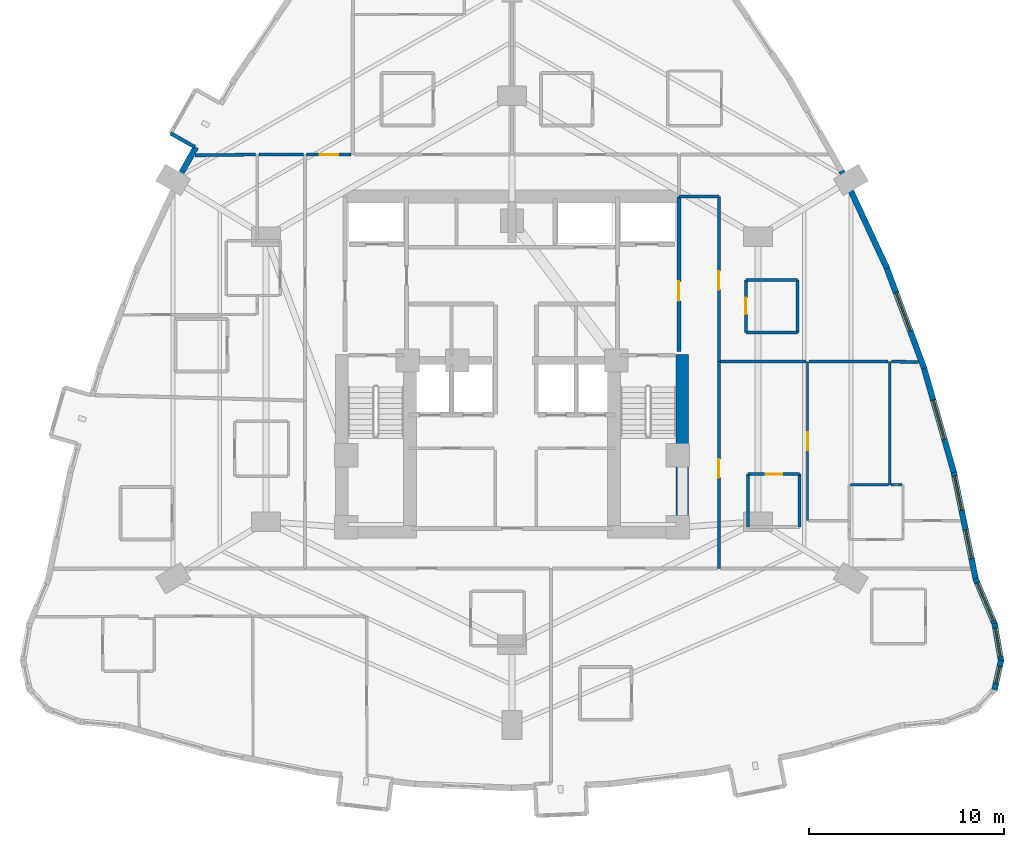
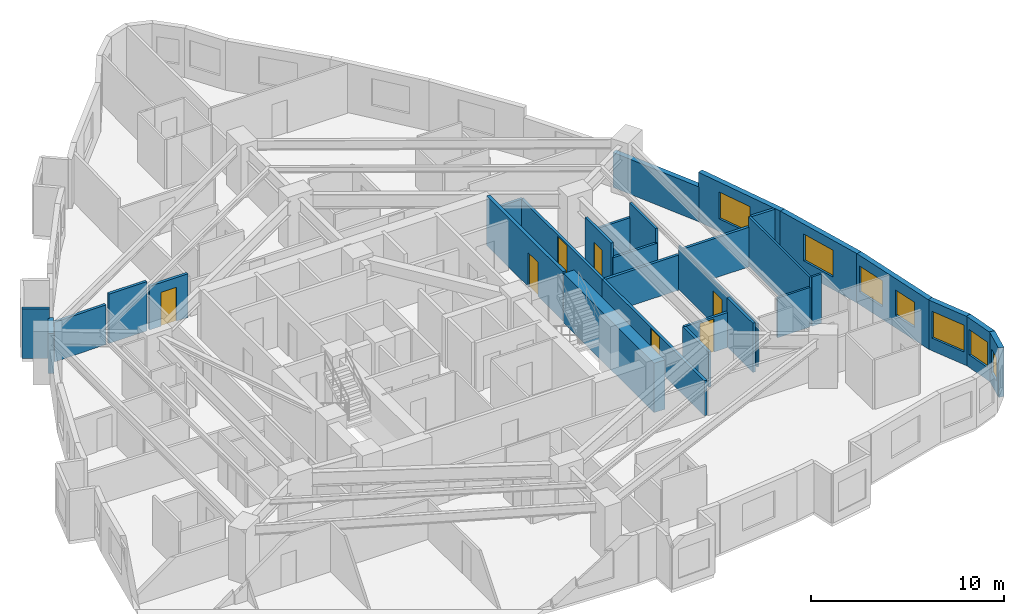
# One storey, part 12 of 15: 31 walls, 7 doors, 7 windows, 14 openings.
"""IFC4 building model written with IfcOpenShell, lengths in metres."""

from ifc_helpers import new_model, si_unit, direction, frame, frame_2d, origin, place, context, subcontext, project, spatial, rectangle, extrude, material, layer, layer_set, type_object, element, fill, save


model = new_model("IFC4")

# Units and contexts
model_context = context("Model", 3, precision=1e-05, world=origin(), true_north=direction((0.0, 1.0)))
body_context = subcontext(model_context, "Body", "Model", "MODEL_VIEW")
ifc_project = project(units=[si_unit("LENGTHUNIT", "METRE"), si_unit("AREAUNIT", "SQUARE_METRE"), si_unit("VOLUMEUNIT", "CUBIC_METRE"), si_unit("PLANEANGLEUNIT", "RADIAN"), si_unit("MASSUNIT", "GRAM", prefix="KILO")], contexts=[model_context])

# Site, building, storey
site_placement = place(None, origin())
site = spatial("IfcSite", under=ifc_project, at=site_placement, CompositionType="ELEMENT")
building_placement = place(site_placement, origin())
building = spatial("IfcBuilding", under=site, at=building_placement, Name="Miruveldt Soraemaru", CompositionType="ELEMENT")
storey_placement = place(building_placement, frame((0.0, 0.0, 32.60009765625)))
storey = spatial("IfcBuildingStorey", under=building, at=storey_placement, Name="L08", CompositionType="ELEMENT", Elevation=32.60009765625)

# Walls
ifc_material_1 = material(Name="White powder-coated aluminium EN AW-6060 T6", Category="aluminium")
ifc_layer_1 = layer(ifc_material_1, 0.18994140625, Name="White powder-coated aluminium EN AW-6060 T6", Category="aluminium")
ifc_layer_set_1 = layer_set([ifc_layer_1], Name="White powder-coated aluminium EN AW-6060 T6")
wall_type_1 = type_object("IfcWallType", Name="WALL-BAY-ALU190", PredefinedType="SOLIDWALL", material=ifc_layer_set_1)
wall_1_placement = place(storey_placement, frame((26.51220703125, 55.683349609375, 0.0), z_axis=(0.0, 0.0, 1.0), x_axis=(0.869840890461, -0.493332367965, 0.0)))
element("IfcWall", 1, at=wall_1_placement, inside=storey, type_object=wall_type_1, Name="L08 Bay Window Side Cheek 2R", PredefinedType="SOLIDWALL", context=body_context, shape_type="SweptSolid", body=[
    extrude(rectangle(XDim=1.42529296875, YDim=0.18994140625, at=frame_2d((0.712646484375, 0.0))), origin(), (0.0, 0.0, 1.0), 3.125),
])
ifc_material_2 = material(Name="Concrete C80/95 (80 MPa)", Category="concrete")
ifc_layer_2 = layer(ifc_material_2, 0.64990234375, Name="Concrete C80/95 (80 MPa)", Category="concrete")
ifc_layer_set_2 = layer_set([ifc_layer_2], Name="Concrete C80/95 (80 MPa)")
wall_type_2 = type_object("IfcWallType", Name="WALL-CW-650", PredefinedType="SHEAR", material=ifc_layer_set_2)
wall_2_placement = place(storey_placement, frame((52.72509765625, 34.949951171875, 0.0), z_axis=(0.0, 0.0, 1.0), x_axis=(0.0, 1.0, 0.0)))
element("IfcWall", 2, at=wall_2_placement, inside=storey, type_object=wall_type_2, Name="L08 Central Core Shear Wall E1", PredefinedType="SHEAR", context=body_context, shape_type="SweptSolid", body=[
    extrude(rectangle(XDim=9.400146484375, YDim=0.64990234375, at=frame_2d((4.7001953125, 0.0))), origin(), (0.0, 0.0, 1.0), 3.125),
])
ifc_material_3 = material(Name="Precast concrete C45/55 (45 MPa)", Category="concrete")
ifc_layer_3 = layer(ifc_material_3, 0.300048828125, Name="Precast concrete C45/55 (45 MPa)", Category="concrete")
ifc_layer_set_3 = layer_set([ifc_layer_3], Name="Precast concrete C45/55 (45 MPa)")
wall_type_3 = type_object("IfcWallType", Name="WALL-EXT-PC300", PredefinedType="SOLIDWALL", material=ifc_layer_set_3)
wall_3_placement = place(storey_placement, frame((27.814453125, 54.979248046875, 0.0), z_axis=(0.0, 0.0, 1.0), x_axis=(-0.493382949602, -0.86981220102, 0.0)))
element("IfcWall", 3, at=wall_3_placement, inside=storey, type_object=wall_type_3, Name="L08 Precast Pier Wall 10B", PredefinedType="SOLIDWALL", context=body_context, shape_type="SweptSolid", body=[
    extrude(rectangle(XDim=1.47998046875, YDim=0.300048828125, at=frame_2d((0.739990234375, 0.0))), origin(), (0.0, 0.0, 1.0), 2.512939453125),
])

# Wall, opening, window
wall_4_placement = place(storey_placement, frame((68.715576171875, 27.178955078125, 0.0), z_axis=(0.0, 0.0, 1.0), x_axis=(0.215707327846, 0.976458062957, 0.0)))
wall_4 = element("IfcWall", 4, at=wall_4_placement, inside=storey, type_object=wall_type_3, Name="L08 Precast Concrete Facade Wall 32", PredefinedType="SOLIDWALL", context=body_context, shape_type="SweptSolid", body=[
    extrude(rectangle(XDim=1.564208984375, YDim=0.300048828125, at=frame_2d((0.7822265625, 0.0))), origin(), (0.0, 0.0, 1.0), 3.125),
])
opening_1_placement = place(wall_4_placement, frame((0.33203125, 0.0, 0.780029296875)))
opening_1 = element("IfcOpeningElement", 5, at=opening_1_placement, cuts=wall_4, Name="Opening WN-7", PredefinedType="OPENING", context=body_context, shape_type="SweptSolid", body=[
    extrude(rectangle(XDim=0.89990234375, YDim=1.5, at=frame_2d((0.449951171875, 0.75))), frame((0.0, 0.16015625, 0.0), z_axis=(0.0, -1.0, 0.0), x_axis=(1.0, 0.0, 0.0)), (0.0, 0.0, 1.0), 0.320068359375),
])
ifc_material_4 = material(Name="Triple low-e insulated glazing", Category="glass")
window_type_1 = type_object("IfcWindowType", Name="WIN-PUNCH-900x1500", PartitioningType="SINGLE_PANEL", PredefinedType="WINDOW", material=ifc_material_4)
window_1_placement = place(opening_1_placement, origin())
window_1 = element("IfcWindow", 6, at=window_1_placement, inside=storey, type_object=window_type_1, Name="L08 Punched Triple-Glazed Window 32.1", OverallHeight=1.5, OverallWidth=0.89990234375, PartitioningType="SINGLE_PANEL", PredefinedType="WINDOW", context=body_context, shape_type="SweptSolid", body=[
    extrude(rectangle(XDim=0.89990234375, YDim=1.5, at=frame_2d((0.449951171875, 0.75))), frame((0.0, 0.030029296875, 0.0), z_axis=(0.0, -1.0, 0.0), x_axis=(1.0, 0.0, 0.0)), (0.0, 0.0, 1.0), 0.06005859375),
])
fill(opening_1, window_1)

wall_5_placement = place(storey_placement, frame((69.05126953125, 28.637451171875, 0.0), z_axis=(0.0, 0.0, 1.0), x_axis=(-0.169272905245, 0.985569218041, 0.0)))
wall_5 = element("IfcWall", 7, at=wall_5_placement, inside=storey, type_object=wall_type_3, Name="L08 Precast Concrete Facade Wall 33", PredefinedType="SOLIDWALL", context=body_context, shape_type="SweptSolid", body=[
    extrude(rectangle(XDim=1.97314453125, YDim=0.300048828125, at=frame_2d((0.986572265625, 0.0))), origin(), (0.0, 0.0, 1.0), 3.125),
])
opening_2_placement = place(wall_5_placement, frame((0.236083984375, 0.0, 0.800048828125)))
opening_2 = element("IfcOpeningElement", 8, at=opening_2_placement, cuts=wall_5, Name="Opening WN-3", PredefinedType="OPENING", context=body_context, shape_type="SweptSolid", body=[
    extrude(rectangle(XDim=1.5, YDim=1.60009765625, at=frame_2d((0.75, 0.800048828125))), frame((0.0, 0.16015625, 0.0), z_axis=(0.0, -1.0, 0.0), x_axis=(1.0, 0.0, 0.0)), (0.0, 0.0, 1.0), 0.320068359375),
])
window_type_2 = type_object("IfcWindowType", Name="WIN-PUNCH-1500x1600", PartitioningType="SINGLE_PANEL", PredefinedType="WINDOW", material=ifc_material_4)
window_2_placement = place(opening_2_placement, origin())
window_2 = element("IfcWindow", 9, at=window_2_placement, inside=storey, type_object=window_type_2, Name="L08 Punched Triple-Glazed Window 33.1", OverallHeight=1.60009765625, OverallWidth=1.5, PartitioningType="SINGLE_PANEL", PredefinedType="WINDOW", context=body_context, shape_type="SweptSolid", body=[
    extrude(rectangle(XDim=1.5, YDim=1.60009765625, at=frame_2d((0.75, 0.800048828125))), frame((0.0, 0.030029296875, 0.0), z_axis=(0.0, -1.0, 0.0), x_axis=(1.0, 0.0, 0.0)), (0.0, 0.0, 1.0), 0.06005859375),
])
fill(opening_2, window_2)

wall_6_placement = place(storey_placement, frame((68.73681640625, 30.515380859375, 0.0), z_axis=(0.0, 0.0, 1.0), x_axis=(-0.388671385618, 0.921376445326, 0.0)))
wall_6 = element("IfcWall", 10, at=wall_6_placement, inside=storey, type_object=wall_type_3, Name="L08 Precast Concrete Facade Wall 34", PredefinedType="SOLIDWALL", context=body_context, shape_type="SweptSolid", body=[
    extrude(rectangle(XDim=2.557861328125, YDim=0.300048828125, at=frame_2d((1.27880859375, 0.0))), origin(), (0.0, 0.0, 1.0), 3.125),
])
opening_3_placement = place(wall_6_placement, frame((0.22900390625, 0.0, 0.800048828125)))
opening_3 = element("IfcOpeningElement", 11, at=opening_3_placement, cuts=wall_6, Name="Opening WN-1", PredefinedType="OPENING", context=body_context, shape_type="SweptSolid", body=[
    extrude(rectangle(XDim=2.10009765625, YDim=1.699951171875, at=frame_2d((1.050048828125, 0.85009765625))), frame((0.0, 0.16015625, 0.0), z_axis=(0.0, -1.0, 0.0), x_axis=(1.0, 0.0, 0.0)), (0.0, 0.0, 1.0), 0.320068359375),
])
window_type_3 = type_object("IfcWindowType", Name="WIN-PUNCH-2100x1700", PartitioningType="SINGLE_PANEL", PredefinedType="WINDOW", material=ifc_material_4)
window_3_placement = place(opening_3_placement, origin())
window_3 = element("IfcWindow", 12, at=window_3_placement, inside=storey, type_object=window_type_3, Name="L08 Punched Triple-Glazed Window 34.1", OverallHeight=1.699951171875, OverallWidth=2.10009765625, PartitioningType="SINGLE_PANEL", PredefinedType="WINDOW", context=body_context, shape_type="SweptSolid", body=[
    extrude(rectangle(XDim=2.10009765625, YDim=1.699951171875, at=frame_2d((1.050048828125, 0.85009765625))), frame((0.0, 0.030029296875, 0.0), z_axis=(0.0, -1.0, 0.0), x_axis=(1.0, 0.0, 0.0)), (0.0, 0.0, 1.0), 0.06005859375),
])
fill(opening_3, window_3)

# Wall, openings, windows
wall_7_placement = place(storey_placement, frame((67.763427734375, 32.8056640625, 0.0), z_axis=(0.0, 0.0, 1.0), x_axis=(-0.201578050416, 0.979472454738, 0.0)))
wall_7 = element("IfcWall", 13, at=wall_7_placement, inside=storey, type_object=wall_type_3, Name="L08 Precast Concrete Facade Wall 35", PredefinedType="SOLIDWALL", context=body_context, shape_type="SweptSolid", body=[
    extrude(rectangle(XDim=5.70458984375, YDim=0.300048828125, at=frame_2d((2.852294921875, 0.0))), origin(), (0.0, 0.0, 1.0), 3.125),
])
opening_4_placement = place(wall_7_placement, frame((1.1240234375, 0.0, 0.800048828125)))
opening_4 = element("IfcOpeningElement", 14, at=opening_4_placement, cuts=wall_7, Name="Opening WN-3", PredefinedType="OPENING", context=body_context, shape_type="SweptSolid", body=[
    extrude(rectangle(XDim=1.5, YDim=1.60009765625, at=frame_2d((0.75, 0.800048828125))), frame((0.0, 0.16015625, 0.0), z_axis=(0.0, -1.0, 0.0), x_axis=(1.0, 0.0, 0.0)), (0.0, 0.0, 1.0), 0.320068359375),
])
opening_5_placement = place(wall_7_placement, frame((3.635009765625, 0.0, 0.800048828125)))
opening_5 = element("IfcOpeningElement", 15, at=opening_5_placement, cuts=wall_7, Name="Opening WN-2", PredefinedType="OPENING", context=body_context, shape_type="SweptSolid", body=[
    extrude(rectangle(XDim=1.800048828125, YDim=1.64990234375, at=frame_2d((0.89990234375, 0.824951171875))), frame((0.0, 0.16015625, 0.0), z_axis=(0.0, -1.0, 0.0), x_axis=(1.0, 0.0, 0.0)), (0.0, 0.0, 1.0), 0.320068359375),
])
window_4_placement = place(opening_4_placement, origin())
window_4 = element("IfcWindow", 16, at=window_4_placement, inside=storey, type_object=window_type_2, Name="L08 Punched Triple-Glazed Window 35.1", OverallHeight=1.60009765625, OverallWidth=1.5, PartitioningType="SINGLE_PANEL", PredefinedType="WINDOW", context=body_context, shape_type="SweptSolid", body=[
    extrude(rectangle(XDim=1.5, YDim=1.60009765625, at=frame_2d((0.75, 0.800048828125))), frame((0.0, 0.030029296875, 0.0), z_axis=(0.0, -1.0, 0.0), x_axis=(1.0, 0.0, 0.0)), (0.0, 0.0, 1.0), 0.06005859375),
])
fill(opening_4, window_4)
window_type_4 = type_object("IfcWindowType", Name="WIN-PUNCH-1800x1650", PartitioningType="SINGLE_PANEL", PredefinedType="WINDOW", material=ifc_material_4)
window_5_placement = place(opening_5_placement, origin())
window_5 = element("IfcWindow", 17, at=window_5_placement, inside=storey, type_object=window_type_4, Name="L08 Punched Triple-Glazed Window 35.2", OverallHeight=1.64990234375, OverallWidth=1.800048828125, PartitioningType="SINGLE_PANEL", PredefinedType="WINDOW", context=body_context, shape_type="SweptSolid", body=[
    extrude(rectangle(XDim=1.800048828125, YDim=1.64990234375, at=frame_2d((0.89990234375, 0.824951171875))), frame((0.0, 0.030029296875, 0.0), z_axis=(0.0, -1.0, 0.0), x_axis=(1.0, 0.0, 0.0)), (0.0, 0.0, 1.0), 0.06005859375),
])
fill(opening_5, window_5)

# Wall, opening, window
wall_8_placement = place(storey_placement, frame((66.630126953125, 38.3251953125, 0.0), z_axis=(0.0, 0.0, 1.0), x_axis=(-0.274980080947, 0.961449923336, 0.0)))
wall_8 = element("IfcWall", 18, at=wall_8_placement, inside=storey, type_object=wall_type_3, Name="L08 Precast Concrete Facade Wall 36", PredefinedType="SOLIDWALL", context=body_context, shape_type="SweptSolid", body=[
    extrude(rectangle(XDim=5.603271484375, YDim=0.300048828125, at=frame_2d((2.8017578125, 0.0))), origin(), (0.0, 0.0, 1.0), 3.125),
])
opening_6_placement = place(wall_8_placement, frame((1.7509765625, 0.0, 0.800048828125)))
opening_6 = element("IfcOpeningElement", 19, at=opening_6_placement, cuts=wall_8, Name="Opening WN-1", PredefinedType="OPENING", context=body_context, shape_type="SweptSolid", body=[
    extrude(rectangle(XDim=2.10009765625, YDim=1.699951171875, at=frame_2d((1.050048828125, 0.85009765625))), frame((0.0, 0.16015625, 0.0), z_axis=(0.0, -1.0, 0.0), x_axis=(1.0, 0.0, 0.0)), (0.0, 0.0, 1.0), 0.320068359375),
])
window_6_placement = place(opening_6_placement, origin())
window_6 = element("IfcWindow", 20, at=window_6_placement, inside=storey, type_object=window_type_3, Name="L08 Punched Triple-Glazed Window 36.1", OverallHeight=1.699951171875, OverallWidth=2.10009765625, PartitioningType="SINGLE_PANEL", PredefinedType="WINDOW", context=body_context, shape_type="SweptSolid", body=[
    extrude(rectangle(XDim=2.10009765625, YDim=1.699951171875, at=frame_2d((1.050048828125, 0.85009765625))), frame((0.0, 0.030029296875, 0.0), z_axis=(0.0, -1.0, 0.0), x_axis=(1.0, 0.0, 0.0)), (0.0, 0.0, 1.0), 0.06005859375),
])
fill(opening_6, window_6)

wall_9_placement = place(storey_placement, frame((65.111083984375, 43.64599609375, 0.0), z_axis=(0.0, 0.0, 1.0), x_axis=(-0.349000413077, 0.93712257025, 0.0)))
wall_9 = element("IfcWall", 21, at=wall_9_placement, inside=storey, type_object=wall_type_3, Name="L08 Precast Concrete Facade Wall 37", PredefinedType="SOLIDWALL", context=body_context, shape_type="SweptSolid", body=[
    extrude(rectangle(XDim=5.53466796875, YDim=0.300048828125, at=frame_2d((2.767333984375, 0.0))), origin(), (0.0, 0.0, 1.0), 3.125),
])
opening_7_placement = place(wall_9_placement, frame((2.041015625, 0.0, 0.800048828125)))
opening_7 = element("IfcOpeningElement", 22, at=opening_7_placement, cuts=wall_9, Name="Opening WN-1", PredefinedType="OPENING", context=body_context, shape_type="SweptSolid", body=[
    extrude(rectangle(XDim=2.10009765625, YDim=1.699951171875, at=frame_2d((1.050048828125, 0.85009765625))), frame((0.0, 0.16015625, 0.0), z_axis=(0.0, -1.0, 0.0), x_axis=(1.0, 0.0, 0.0)), (0.0, 0.0, 1.0), 0.320068359375),
])
window_7_placement = place(opening_7_placement, origin())
window_7 = element("IfcWindow", 23, at=window_7_placement, inside=storey, type_object=window_type_3, Name="L08 Punched Triple-Glazed Window 37.1", OverallHeight=1.699951171875, OverallWidth=2.10009765625, PartitioningType="SINGLE_PANEL", PredefinedType="WINDOW", context=body_context, shape_type="SweptSolid", body=[
    extrude(rectangle(XDim=2.10009765625, YDim=1.699951171875, at=frame_2d((1.050048828125, 0.85009765625))), frame((0.0, 0.030029296875, 0.0), z_axis=(0.0, -1.0, 0.0), x_axis=(1.0, 0.0, 0.0)), (0.0, 0.0, 1.0), 0.06005859375),
])
fill(opening_7, window_7)

# Wall
wall_10_placement = place(storey_placement, frame((63.206298828125, 48.768310546875, 0.0), z_axis=(0.0, 0.0, 1.0), x_axis=(-0.422309467153, 0.906451716284, 0.0)))
element("IfcWall", 24, at=wall_10_placement, inside=storey, type_object=wall_type_3, Name="L08 Precast Concrete Facade Wall 38", PredefinedType="SOLIDWALL", context=body_context, shape_type="SweptSolid", body=[
    extrude(rectangle(XDim=5.500244140625, YDim=0.300048828125, at=frame_2d((2.75, 0.0))), origin(), (0.0, 0.0, 1.0), 2.212890625),
])

# Wall, opening, door
ifc_material_5 = material(Name="Gypsum plasterboard lining", Category="gypsum")
ifc_layer_4 = layer(ifc_material_5, 0.1201171875, Name="Gypsum plasterboard lining", Category="gypsum")
ifc_layer_set_4 = layer_set([ifc_layer_4], Name="Gypsum plasterboard lining")
wall_type_4 = type_object("IfcWallType", Name="WALL-INT-P120", PredefinedType="PARTITIONING", material=ifc_layer_set_4)
wall_11_placement = place(storey_placement, frame((59.135986328125, 35.85009765625, 0.0), z_axis=(0.0, 0.0, 1.0), x_axis=(0.0, 1.0, 0.0)))
wall_11 = element("IfcWall", 25, at=wall_11_placement, inside=storey, type_object=wall_type_4, Name="L08 Partition Wall 77", PredefinedType="PARTITIONING", context=body_context, shape_type="SweptSolid", body=[
    extrude(rectangle(XDim=8.14990234375, YDim=0.1201171875, at=frame_2d((4.074951171875, 0.0))), origin(), (0.0, 0.0, 1.0), 2.762939453125),
])
opening_8_placement = place(wall_11_placement, frame((3.614990234375, 0.0, 0.0)))
opening_8 = element("IfcOpeningElement", 26, at=opening_8_placement, cuts=wall_11, Name="Opening D3A", PredefinedType="OPENING", context=body_context, shape_type="SweptSolid", body=[
    extrude(rectangle(XDim=0.919921875, YDim=2.10009765625, at=frame_2d((0.4599609375, 1.050048828125))), frame((0.0, 0.070068359375, 0.0), z_axis=(0.0, -1.0, 0.0), x_axis=(1.0, 0.0, 0.0)), (0.0, 0.0, 1.0), 0.14013671875),
])
ifc_material_6 = material(Name="Anodised aluminium EN AW-6063 T6", Category="aluminium")
door_type_1 = type_object("IfcDoorType", Name="DOOR-INT-920", OperationType="NOTDEFINED", PredefinedType="DOOR", material=ifc_material_6)
door_1_placement = place(opening_8_placement, origin())
door_1 = element("IfcDoor", 27, at=door_1_placement, inside=storey, type_object=door_type_1, Name="L08 Unit 0807 BD1 Door", OperationType="SINGLE_SWING_RIGHT", OverallHeight=2.10009765625, OverallWidth=0.919921875, PredefinedType="DOOR", context=body_context, shape_type="SweptSolid", body=[
    extrude(rectangle(XDim=0.919921875, YDim=2.10009765625, at=frame_2d((0.4599609375, 1.050048828125))), frame((0.0, 0.02490234375, 0.0), z_axis=(0.0, -1.0, 0.0), x_axis=(1.0, 0.0, 0.0)), (0.0, 0.0, 1.0), 0.050048828125),
])
fill(opening_8, door_1)

# Walls
wall_12_placement = place(storey_placement, frame((63.347900390625, 37.679931640625, 0.0), z_axis=(0.0, 0.0, 1.0), x_axis=(0.0, 1.0, 0.0)))
element("IfcWall", 28, at=wall_12_placement, inside=storey, type_object=wall_type_4, Name="L08 Partition Wall 84", PredefinedType="PARTITIONING", context=body_context, shape_type="SweptSolid", body=[
    extrude(rectangle(XDim=6.320068359375, YDim=0.1201171875, at=frame_2d((3.16015625, 0.0))), origin(), (0.0, 0.0, 1.0), 3.125),
])
wall_13_placement = place(storey_placement, frame((63.2880859375, 37.679931640625, 0.0), z_axis=(0.0, 0.0, 1.0), x_axis=(-1.0, 0.0, 0.0)))
element("IfcWall", 29, at=wall_13_placement, inside=storey, type_object=wall_type_4, Name="L08 Partition Wall 80", PredefinedType="PARTITIONING", context=body_context, shape_type="SweptSolid", body=[
    extrude(rectangle(XDim=1.947998046875, YDim=0.1201171875, at=frame_2d((0.97412109375, 0.0))), origin(), (0.0, 0.0, 1.0), 2.512939453125),
])
wall_14_placement = place(storey_placement, frame((63.969970703125, 37.679931640625, 0.0), z_axis=(0.0, 0.0, 1.0), x_axis=(-1.0, 0.0, 0.0)))
element("IfcWall", 30, at=wall_14_placement, inside=storey, type_object=wall_type_4, Name="L08 Partition Wall 83", PredefinedType="PARTITIONING", context=body_context, shape_type="SweptSolid", body=[
    extrude(rectangle(XDim=0.56201171875, YDim=0.1201171875, at=frame_2d((0.281005859375, 0.0))), origin(), (0.0, 0.0, 1.0), 3.125),
])

# Wall, opening, door
ifc_layer_5 = layer(ifc_material_5, 0.14990234375, Name="Gypsum plasterboard lining", Category="gypsum")
ifc_layer_set_5 = layer_set([ifc_layer_5], Name="Gypsum plasterboard lining")
wall_type_5 = type_object("IfcWallType", Name="WALL-INT-PLUMB", PredefinedType="PLUMBINGWALL", material=ifc_layer_set_5)
wall_15_placement = place(storey_placement, frame((55.97998046875, 48.179931640625, 0.0), z_axis=(0.0, 0.0, 1.0), x_axis=(0.0, -1.0, 0.0)))
wall_15 = element("IfcWall", 31, at=wall_15_placement, inside=storey, type_object=wall_type_5, Name="L08 Partition Wall 64", PredefinedType="PLUMBINGWALL", context=body_context, shape_type="SweptSolid", body=[
    extrude(rectangle(XDim=2.699951171875, YDim=0.14990234375, at=frame_2d((1.35009765625, 0.0))), origin(), (0.0, 0.0, 1.0), 3.125),
])
opening_9_placement = place(wall_15_placement, frame((0.909912109375, 0.0, 0.0)))
opening_9 = element("IfcOpeningElement", 32, at=opening_9_placement, cuts=wall_15, Name="Opening FD3", PredefinedType="OPENING", context=body_context, shape_type="SweptSolid", body=[
    extrude(rectangle(XDim=0.85009765625, YDim=2.10009765625, at=frame_2d((0.425048828125, 1.050048828125))), frame((0.0, 0.0849609375, 0.0), z_axis=(0.0, -1.0, 0.0), x_axis=(1.0, 0.0, 0.0)), (0.0, 0.0, 1.0), 0.169921875),
])
door_type_2 = type_object("IfcDoorType", Name="DOOR-FD3-850", OperationType="NOTDEFINED", PredefinedType="DOOR", material=ifc_material_6)
door_2_placement = place(opening_9_placement, origin())
door_2 = element("IfcDoor", 33, at=door_2_placement, inside=storey, type_object=door_type_2, Name="L08 Unit CL06 BTH Door", OperationType="SINGLE_SWING_RIGHT", OverallHeight=2.10009765625, OverallWidth=0.85009765625, PredefinedType="DOOR", context=body_context, shape_type="SweptSolid", body=[
    extrude(rectangle(XDim=0.85009765625, YDim=2.10009765625, at=frame_2d((0.425048828125, 1.050048828125))), frame((0.0, 0.02490234375, 0.0), z_axis=(0.0, -1.0, 0.0), x_axis=(1.0, 0.0, 0.0)), (0.0, 0.0, 1.0), 0.050048828125),
])
fill(opening_9, door_2)

wall_16_placement = place(storey_placement, frame((58.72998046875, 38.22998046875, 0.0), z_axis=(0.0, 0.0, 1.0), x_axis=(-1.0, 0.0, 0.0)))
wall_16 = element("IfcWall", 34, at=wall_16_placement, inside=storey, type_object=wall_type_5, Name="L08 Partition Wall 70", PredefinedType="PLUMBINGWALL", context=body_context, shape_type="SweptSolid", body=[
    extrude(rectangle(XDim=2.64990234375, YDim=0.14990234375, at=frame_2d((1.324951171875, 0.0))), origin(), (0.0, 0.0, 1.0), 2.219970703125),
])
opening_10_placement = place(wall_16_placement, frame((0.885009765625, 0.0, 0.0)))
opening_10 = element("IfcOpeningElement", 35, at=opening_10_placement, cuts=wall_16, Name="Opening FD3", PredefinedType="OPENING", context=body_context, shape_type="SweptSolid", body=[
    extrude(rectangle(XDim=0.85009765625, YDim=2.10009765625, at=frame_2d((0.425048828125, 1.050048828125))), frame((0.0, 0.0849609375, 0.0), z_axis=(0.0, -1.0, 0.0), x_axis=(1.0, 0.0, 0.0)), (0.0, 0.0, 1.0), 0.169921875),
])
door_3_placement = place(opening_10_placement, origin())
door_3 = element("IfcDoor", 36, at=door_3_placement, inside=storey, type_object=door_type_2, Name="L08 Unit 0807 BTH Door", OperationType="SINGLE_SWING_RIGHT", OverallHeight=2.10009765625, OverallWidth=0.85009765625, PredefinedType="DOOR", context=body_context, shape_type="SweptSolid", body=[
    extrude(rectangle(XDim=0.85009765625, YDim=2.10009765625, at=frame_2d((0.425048828125, 1.050048828125))), frame((0.0, 0.02490234375, 0.0), z_axis=(0.0, -1.0, 0.0), x_axis=(1.0, 0.0, 0.0)), (0.0, 0.0, 1.0), 0.050048828125),
])
fill(opening_10, door_3)

# Walls
for number, where, z_axis, x_axis, name in (
    (37, (58.6298828125, 45.47998046875, 0.0), (0.0, 0.0, 1.0), (0.0, 1.0, 0.0), "L08 Partition Wall 107"),
    (38, (58.72998046875, 35.530029296875, 0.0), (0.0, 0.0, 1.0), (0.0, 1.0, 0.0), "L08 Partition Wall 69"),
):
    element("IfcWall", number, at=place(storey_placement, frame(where, z_axis=z_axis, x_axis=x_axis)), inside=storey, type_object=wall_type_5, Name=name, PredefinedType="PLUMBINGWALL", context=body_context, shape_type="SweptSolid", body=[
        extrude(rectangle(XDim=2.699951171875, YDim=0.14990234375, at=frame_2d((1.35009765625, 0.0))), origin(), (0.0, 0.0, 1.0), 3.125),
    ])
wall_17_placement = place(storey_placement, frame((56.080078125, 38.22998046875, 0.0), z_axis=(0.0, 0.0, 1.0), x_axis=(0.0, -1.0, 0.0)))
element("IfcWall", 39, at=wall_17_placement, inside=storey, type_object=wall_type_5, Name="L08 Partition Wall 71", PredefinedType="PLUMBINGWALL", context=body_context, shape_type="SweptSolid", body=[
    extrude(rectangle(XDim=2.699951171875, YDim=0.14990234375, at=frame_2d((1.35009765625, 0.0))), origin(), (0.0, 0.0, 1.0), 2.219970703125),
])
for number, where, z_axis, x_axis, name in (
    (40, (55.97998046875, 45.47998046875, 0.0), (0.0, 0.0, 1.0), (1.0, 0.0, 0.0), "L08 Partition Wall 65"),
    (41, (58.6298828125, 48.179931640625, 0.0), (0.0, 0.0, 1.0), (-1.0, 0.0, 0.0), "L08 Partition Wall 108"),
):
    element("IfcWall", number, at=place(storey_placement, frame(where, z_axis=z_axis, x_axis=x_axis)), inside=storey, type_object=wall_type_5, Name=name, PredefinedType="PLUMBINGWALL", context=body_context, shape_type="SweptSolid", body=[
        extrude(rectangle(XDim=2.64990234375, YDim=0.14990234375, at=frame_2d((1.324951171875, 0.0))), origin(), (0.0, 0.0, 1.0), 2.219970703125),
    ])

# Wall, opening, door
ifc_material_7 = material(Name="Concrete C40/50 (40 MPa)", Category="concrete")
ifc_layer_6 = layer(ifc_material_7, 0.159912109375, Name="Concrete C40/50 (40 MPa)", Category="concrete")
ifc_layer_set_6 = layer_set([ifc_layer_6], Name="Concrete C40/50 (40 MPa)")
wall_type_6 = type_object("IfcWallType", Name="WALL-INT-RC160", PredefinedType="SOLIDWALL", material=ifc_layer_set_6)
wall_18_placement = place(storey_placement, frame((54.60009765625, 33.39990234375, 0.0), z_axis=(0.0, 0.0, 1.0), x_axis=(0.0, 1.0, 0.0)))
wall_18 = element("IfcWall", 42, at=wall_18_placement, inside=storey, type_object=wall_type_6, Name="L08 Partition Wall 9", PredefinedType="SOLIDWALL", context=body_context, shape_type="SweptSolid", body=[
    extrude(rectangle(XDim=10.60009765625, YDim=0.159912109375, at=frame_2d((5.300048828125, 0.0))), origin(), (0.0, 0.0, 1.0), 2.219970703125),
])
opening_11_placement = place(wall_18_placement, frame((4.64501953125, 0.0, 0.0)))
opening_11 = element("IfcOpeningElement", 43, at=opening_11_placement, cuts=wall_18, Name="Opening FD2", PredefinedType="OPENING", context=body_context, shape_type="SweptSolid", body=[
    extrude(rectangle(XDim=0.949951171875, YDim=2.14990234375, at=frame_2d((0.47509765625, 1.074951171875))), frame((0.0, 0.08984375, 0.0), z_axis=(0.0, -1.0, 0.0), x_axis=(1.0, 0.0, 0.0)), (0.0, 0.0, 1.0), 0.179931640625),
])
door_type_3 = type_object("IfcDoorType", Name="DOOR-FD2-950", OperationType="NOTDEFINED", PredefinedType="DOOR", material=ifc_material_6)
door_4_placement = place(opening_11_placement, origin())
door_4 = element("IfcDoor", 44, at=door_4_placement, inside=storey, type_object=door_type_3, Name="L08 Unit 0807 Entrance Fire Door", OperationType="SINGLE_SWING_LEFT", OverallHeight=2.14990234375, OverallWidth=0.949951171875, PredefinedType="DOOR", context=body_context, shape_type="SweptSolid", body=[
    extrude(rectangle(XDim=0.949951171875, YDim=2.14990234375, at=frame_2d((0.47509765625, 1.074951171875))), frame((0.0, 0.02490234375, 0.0), z_axis=(0.0, -1.0, 0.0), x_axis=(1.0, 0.0, 0.0)), (0.0, 0.0, 1.0), 0.050048828125),
])
fill(opening_11, door_4)

wall_19_placement = place(storey_placement, frame((54.60009765625, 44.0029296875, 0.0), z_axis=(0.0, 0.0, 1.0), x_axis=(0.0, 1.0, 0.0)))
wall_19 = element("IfcWall", 45, at=wall_19_placement, inside=storey, type_object=wall_type_6, Name="L08 Partition Wall 6", PredefinedType="SOLIDWALL", context=body_context, shape_type="SweptSolid", body=[
    extrude(rectangle(XDim=8.447021484375, YDim=0.159912109375, at=frame_2d((4.2236328125, 0.0))), origin(), (0.0, 0.0, 1.0), 2.219970703125),
])
opening_12_placement = place(wall_19_placement, frame((3.678955078125, 0.0, 0.0)))
opening_12 = element("IfcOpeningElement", 46, at=opening_12_placement, cuts=wall_19, Name="Opening FD2", PredefinedType="OPENING", context=body_context, shape_type="SweptSolid", body=[
    extrude(rectangle(XDim=0.949951171875, YDim=2.14990234375, at=frame_2d((0.47509765625, 1.074951171875))), frame((0.0, 0.08984375, 0.0), z_axis=(0.0, -1.0, 0.0), x_axis=(1.0, 0.0, 0.0)), (0.0, 0.0, 1.0), 0.179931640625),
])
door_5_placement = place(opening_12_placement, origin())
door_5 = element("IfcDoor", 47, at=door_5_placement, inside=storey, type_object=door_type_3, Name="L08 Unit CL06 Entrance Fire Door", OperationType="SINGLE_SWING_LEFT", OverallHeight=2.14990234375, OverallWidth=0.949951171875, PredefinedType="DOOR", context=body_context, shape_type="SweptSolid", body=[
    extrude(rectangle(XDim=0.949951171875, YDim=2.14990234375, at=frame_2d((0.47509765625, 1.074951171875))), frame((0.0, 0.02490234375, 0.0), z_axis=(0.0, -1.0, 0.0), x_axis=(1.0, 0.0, 0.0)), (0.0, 0.0, 1.0), 0.050048828125),
])
fill(opening_12, door_5)

wall_20_placement = place(storey_placement, frame((35.76611328125, 54.60009765625, 0.0), z_axis=(0.0, 0.0, 1.0), x_axis=(-1.0, 0.0, 0.0)))
wall_20 = element("IfcWall", 48, at=wall_20_placement, inside=storey, type_object=wall_type_6, Name="L08 Partition Wall 1", PredefinedType="SOLIDWALL", context=body_context, shape_type="SweptSolid", body=[
    extrude(rectangle(XDim=2.2861328125, YDim=0.159912109375, at=frame_2d((1.14306640625, 0.0))), origin(), (0.0, 0.0, 1.0), 2.762939453125),
])
opening_13_placement = place(wall_20_placement, frame((0.66796875, 0.0, 0.0)))
opening_13 = element("IfcOpeningElement", 49, at=opening_13_placement, cuts=wall_20, Name="Opening FD2", PredefinedType="OPENING", context=body_context, shape_type="SweptSolid", body=[
    extrude(rectangle(XDim=0.949951171875, YDim=2.14990234375, at=frame_2d((0.47509765625, 1.074951171875))), frame((0.0, 0.08984375, 0.0), z_axis=(0.0, -1.0, 0.0), x_axis=(1.0, 0.0, 0.0)), (0.0, 0.0, 1.0), 0.179931640625),
])
door_6_placement = place(opening_13_placement, origin())
door_6 = element("IfcDoor", 50, at=door_6_placement, inside=storey, type_object=door_type_3, Name="L08 Unit CL01 Entrance Fire Door", OperationType="SINGLE_SWING_LEFT", OverallHeight=2.14990234375, OverallWidth=0.949951171875, PredefinedType="DOOR", context=body_context, shape_type="SweptSolid", body=[
    extrude(rectangle(XDim=0.949951171875, YDim=2.14990234375, at=frame_2d((0.47509765625, 1.074951171875))), frame((0.0, 0.02490234375, 0.0), z_axis=(0.0, -1.0, 0.0), x_axis=(1.0, 0.0, 0.0)), (0.0, 0.0, 1.0), 0.050048828125),
])
fill(opening_13, door_6)

# Walls
wall_21_placement = place(storey_placement, frame((54.679931640625, 44.0, 0.0), z_axis=(0.0, 0.0, 1.0), x_axis=(1.0, 0.0, 0.0)))
element("IfcWall", 51, at=wall_21_placement, inside=storey, type_object=wall_type_6, Name="L08 Partition Wall 66", PredefinedType="SOLIDWALL", context=body_context, shape_type="SweptSolid", body=[
    extrude(rectangle(XDim=4.3759765625, YDim=0.159912109375, at=frame_2d((2.18798828125, 0.0))), origin(), (0.0, 0.0, 1.0), 2.219970703125),
])
wall_22_placement = place(storey_placement, frame((59.216064453125, 44.0, 0.0), z_axis=(0.0, 0.0, 1.0), x_axis=(1.0, 0.0, 0.0)))
element("IfcWall", 52, at=wall_22_placement, inside=storey, type_object=wall_type_6, Name="L08 Partition Wall 67", PredefinedType="SOLIDWALL", context=body_context, shape_type="SweptSolid", body=[
    extrude(rectangle(XDim=4.052001953125, YDim=0.159912109375, at=frame_2d((2.02587890625, 0.0))), origin(), (0.0, 0.0, 1.0), 2.512939453125),
])
wall_23_placement = place(storey_placement, frame((27.764892578125, 54.55810546875, 0.0), z_axis=(0.0, 0.0, 1.0), x_axis=(0.999912778046, 0.013207433502, 0.0)))
element("IfcWall", 53, at=wall_23_placement, inside=storey, type_object=wall_type_6, Name="L08 Partition Wall 15", PredefinedType="SOLIDWALL", context=body_context, shape_type="SweptSolid", body=[
    extrude(rectangle(XDim=3.10546875, YDim=0.159912109375, at=frame_2d((1.552734375, 0.0))), origin(), (0.0, 0.0, 1.0), 2.512939453125),
])
wall_24_placement = place(storey_placement, frame((31.030029296875, 54.60009765625, 0.0), z_axis=(0.0, 0.0, 1.0), x_axis=(1.0, 0.0, 0.0)))
element("IfcWall", 54, at=wall_24_placement, inside=storey, type_object=wall_type_6, Name="L08 Partition Wall 14", PredefinedType="SOLIDWALL", context=body_context, shape_type="SweptSolid", body=[
    extrude(rectangle(XDim=2.2900390625, YDim=0.159912109375, at=frame_2d((1.14501953125, 0.0))), origin(), (0.0, 0.0, 1.0), 3.125),
])
wall_25_placement = place(storey_placement, frame((54.60009765625, 52.449951171875, 0.0), z_axis=(0.0, 0.0, 1.0), x_axis=(-1.0, 0.0, 0.0)))
element("IfcWall", 55, at=wall_25_placement, inside=storey, type_object=wall_type_6, Name="L08 Partition Wall 7", PredefinedType="SOLIDWALL", context=body_context, shape_type="SweptSolid", body=[
    extrude(rectangle(XDim=2.050048828125, YDim=0.159912109375, at=frame_2d((1.02490234375, 0.0))), origin(), (0.0, 0.0, 1.0), 2.219970703125),
])
wall_26_placement = place(storey_placement, frame((63.427978515625, 43.998046875, 0.0), z_axis=(0.0, 0.0, 1.0), x_axis=(0.999794886493, -0.020253023066, 0.0)))
element("IfcWall", 56, at=wall_26_placement, inside=storey, type_object=wall_type_6, Name="L08 Partition Wall 68", PredefinedType="SOLIDWALL", context=body_context, shape_type="SweptSolid", body=[
    extrude(rectangle(XDim=1.38623046875, YDim=0.159912109375, at=frame_2d((0.693115234375, 0.0))), origin(), (0.0, 0.0, 1.0), 3.125),
])

# Wall, opening, door
ifc_layer_7 = layer(ifc_material_7, 0.199951171875, Name="Concrete C40/50 (40 MPa)", Category="concrete")
ifc_layer_set_7 = layer_set([ifc_layer_7], Name="Concrete C40/50 (40 MPa)")
wall_type_7 = type_object("IfcWallType", Name="WALL-INT-RC200", PredefinedType="SOLIDWALL", material=ifc_layer_set_7)
wall_27_placement = place(storey_placement, frame((52.550048828125, 44.5, 0.0), z_axis=(0.0, 0.0, 1.0), x_axis=(0.0, 1.0, 0.0)))
wall_27 = element("IfcWall", 57, at=wall_27_placement, inside=storey, type_object=wall_type_7, Name="L08 Core Compartment Wall FFE-OUT", PredefinedType="SOLIDWALL", context=body_context, shape_type="SweptSolid", body=[
    extrude(rectangle(XDim=7.919921875, YDim=0.199951171875, at=frame_2d((3.9599609375, 0.0))), origin(), (0.0, 0.0, 1.0), 3.125),
])
opening_14_placement = place(wall_27_placement, frame((2.60009765625, 0.0, 0.0)))
opening_14 = element("IfcOpeningElement", 58, at=opening_14_placement, cuts=wall_27, Name="Opening FD1", PredefinedType="OPENING", context=body_context, shape_type="SweptSolid", body=[
    extrude(rectangle(XDim=1.0, YDim=2.14990234375, at=frame_2d((0.5, 1.074951171875))), frame((0.0, 0.10986328125, 0.0), z_axis=(0.0, -1.0, 0.0), x_axis=(1.0, 0.0, 0.0)), (0.0, 0.0, 1.0), 0.219970703125),
])
door_type_4 = type_object("IfcDoorType", Name="DOOR-FD1-1000", OperationType="NOTDEFINED", PredefinedType="DOOR", material=ifc_material_6)
door_7_placement = place(opening_14_placement, frame((1.0, 0.0, 0.0), z_axis=(0.0, 0.0, 1.0), x_axis=(-1.0, 0.0, 0.0)))
door_7 = element("IfcDoor", 59, at=door_7_placement, inside=storey, type_object=door_type_4, Name="L08 East Firefighting Lobby Exit Door", OperationType="SINGLE_SWING_RIGHT", OverallHeight=2.14990234375, OverallWidth=1.0, PredefinedType="DOOR", context=body_context, shape_type="SweptSolid", body=[
    extrude(rectangle(XDim=1.0, YDim=2.14990234375, at=frame_2d((0.5, 1.074951171875))), frame((0.0, 0.02490234375, 0.0), z_axis=(0.0, -1.0, 0.0), x_axis=(1.0, 0.0, 0.0)), (0.0, 0.0, 1.0), 0.050048828125),
])
fill(opening_14, door_7)

save(model, "model.ifc")
